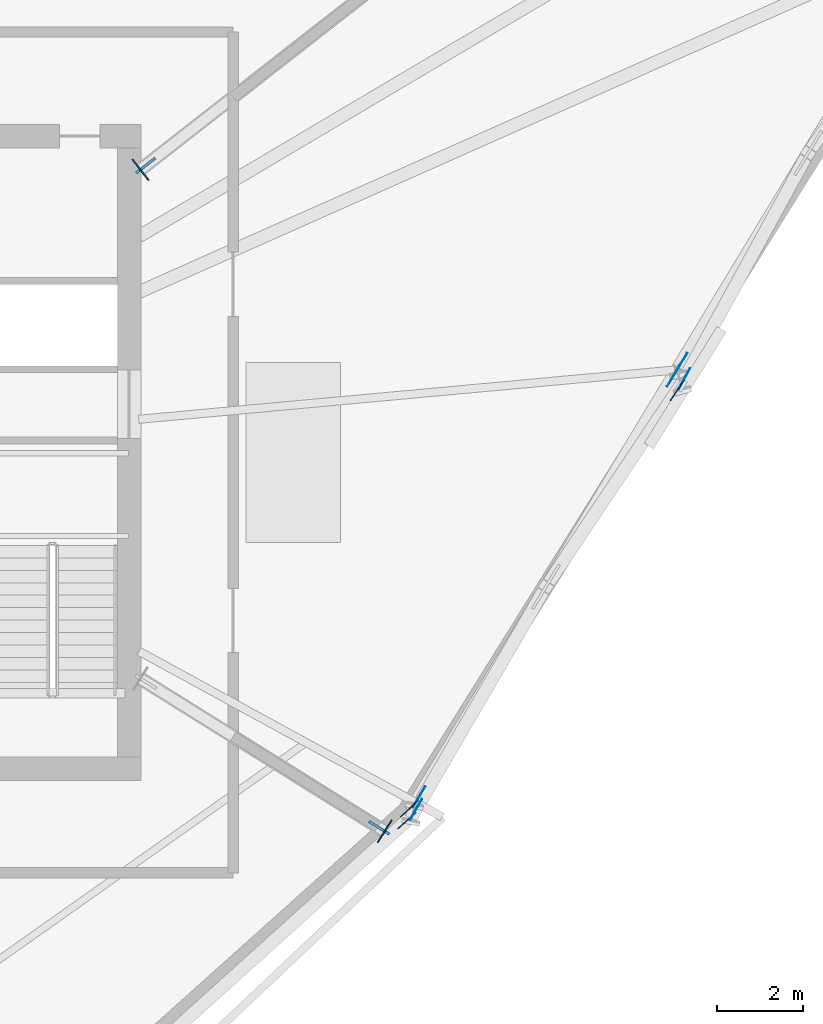
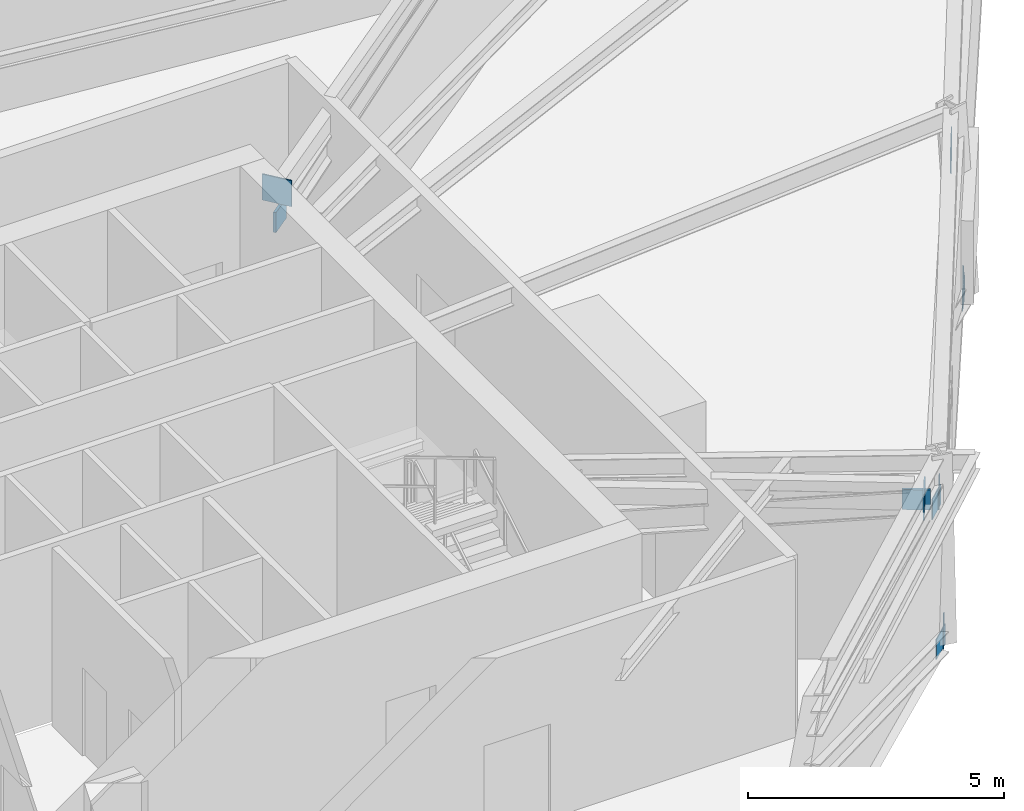
# One storey, part 6 of 14: 12 plates.
"""IFC4 building model written with IfcOpenShell, lengths in metres."""

import ifcopenshell
import ifcopenshell.guid

model = None  # the IFC model being written
_history = None  # IfcOwnerHistory: only IFC2X3 demands one
_inside = {}  # id of a spatial element -> (the spatial element, [elements in it])
_under = {}  # id of a project, library or spatial element -> (it, [spatial elements below it])
_declared = {}  # id of a project -> (the project, [libraries it declares])
_typed = {}  # id of a type object -> (the type object, [elements of that type])
_made_of = {}  # id of a material, layer set ... -> (it, [elements and type objects made of it])


def new_model(schema):
    """Start an empty IFC model of exactly this schema.

    Asked for "IFC4X3", IfcOpenShell would pick the latest addendum, in which some entities
    have other attributes; the version numbers below select the first issue.
    IFC2X3 requires an IfcOwnerHistory on every rooted entity: one is made here for all.
    """
    global model, _history
    if schema == "IFC4X3":
        model = ifcopenshell.file(schema_version=(4, 3, 0, 0))
    else:
        model = ifcopenshell.file(schema=schema)
    _inside.clear()
    _under.clear()
    _declared.clear()
    _typed.clear()
    _made_of.clear()
    _history = None
    if model.schema == "IFC2X3":
        org = make("IfcOrganization", Name="unknown")
        user = make(
            "IfcPersonAndOrganization",
            ThePerson=make("IfcPerson", FamilyName="unknown"),
            TheOrganization=org,
        )
        app = make(
            "IfcApplication",
            ApplicationDeveloper=org,
            Version="unknown",
            ApplicationFullName="unknown",
            ApplicationIdentifier="unknown",
        )
        _history = make(
            "IfcOwnerHistory",
            OwningUser=user,
            OwningApplication=app,
            ChangeAction="ADDED",
            CreationDate=0,
        )
    return model


def make(cls, **values):
    """One entity of the class cls with the attributes given. An attribute that is None is left unset."""
    return model.create_entity(
        cls, **{name: value for name, value in values.items() if value is not None}
    )


def rooted(cls, **values):
    """An entity with a GlobalId (a new one), such as an element, a storey or a relation."""
    return make(cls, GlobalId=ifcopenshell.guid.new(), OwnerHistory=_history, **values)


def si_unit(unit_type, name, prefix=None):
    """IfcSIUnit, for example si_unit("LENGTHUNIT", "METRE", prefix="MILLI")."""
    return make("IfcSIUnit", UnitType=unit_type, Prefix=prefix, Name=name)


def assignment(units):
    """IfcUnitAssignment: the units of a project."""
    return None if units is None else make("IfcUnitAssignment", Units=units)


def point(xyz):
    """IfcCartesianPoint."""
    return None if xyz is None else make("IfcCartesianPoint", Coordinates=xyz)


def direction(xyz):
    """IfcDirection."""
    return None if xyz is None else make("IfcDirection", DirectionRatios=xyz)


def frame(location, z_axis=None, x_axis=None):
    """IfcAxis2Placement3D, a coordinate frame: its origin and axes. An axis left out is left unset."""
    return make(
        "IfcAxis2Placement3D",
        Location=point(location),
        Axis=direction(z_axis),
        RefDirection=direction(x_axis),
    )


def frame_2d(location, x_axis=None):
    """IfcAxis2Placement2D, a coordinate frame in the plane: its origin and x axis."""
    return make(
        "IfcAxis2Placement2D", Location=point(location), RefDirection=direction(x_axis)
    )


def origin():
    """The frame at (0, 0, 0) with its axes left unset."""
    return frame((0.0, 0.0, 0.0))


def origin_2d():
    """The frame at (0, 0) in the plane with its x axis left unset."""
    return frame_2d((0.0, 0.0))


def place(relative_to, where):
    """IfcLocalPlacement: puts the frame where relative to a parent placement (None: the world)."""
    return make(
        "IfcLocalPlacement", PlacementRelTo=relative_to, RelativePlacement=where
    )


def context(
    kind, dimensions, precision=None, world=None, true_north=None, identifier=None
):
    """IfcGeometricRepresentationContext, for example the 3D "Model" context."""
    return make(
        "IfcGeometricRepresentationContext",
        ContextIdentifier=identifier,
        ContextType=kind,
        CoordinateSpaceDimension=dimensions,
        Precision=precision,
        WorldCoordinateSystem=world,
        TrueNorth=true_north,
    )


def subcontext(parent, identifier, kind, view, scale=None):
    """IfcGeometricRepresentationSubContext, for example "Body" below "Model"."""
    return make(
        "IfcGeometricRepresentationSubContext",
        ContextIdentifier=identifier,
        ContextType=kind,
        ParentContext=parent,
        TargetScale=scale,
        TargetView=view,
    )


def project(units=None, contexts=None):
    """IfcProject with its units and contexts."""
    return rooted(
        "IfcProject",
        Name="project",
        RepresentationContexts=contexts,
        UnitsInContext=assignment(units),
    )


def spatial(cls, under=None, at=None, **own):
    """A site, building, storey or space (cls), placed at a placement, below another one or the project."""
    s = rooted(cls, ObjectPlacement=at, **own)
    if under is not None:
        _under.setdefault(under.id(), (under, []))[1].append(s)
    return s


def profile(cls, at=None, kind="AREA", **sizes):
    """A parametric profile (cls). Its sizes go by their IFC names, for example OverallWidth=200.0."""
    return make(cls, ProfileType=kind, Position=at, **sizes)


def rectangle(**sizes):
    """IfcRectangleProfileDef."""
    return profile("IfcRectangleProfileDef", **sizes)


def extrude(swept, where, along, depth):
    """IfcExtrudedAreaSolid: the profile swept, set in the frame where, extruded along a direction by depth."""
    return make(
        "IfcExtrudedAreaSolid",
        SweptArea=swept,
        Position=where,
        ExtrudedDirection=direction(along),
        Depth=depth,
    )


def shape(context_of_items, identifier, shape_type, items):
    """IfcShapeRepresentation: the items that make up one representation, for example the "Body"."""
    return make(
        "IfcShapeRepresentation",
        ContextOfItems=context_of_items,
        RepresentationIdentifier=identifier,
        RepresentationType=shape_type,
        Items=items,
    )


def source(mapping_origin, context_of_items, identifier, shape_type, items):
    """IfcRepresentationMap: a shape defined once, which mapped items show again and again."""
    return make(
        "IfcRepresentationMap",
        MappingOrigin=mapping_origin,
        MappedRepresentation=shape(context_of_items, identifier, shape_type, items),
    )


def transform(
    local_origin,
    x_axis=None,
    y_axis=None,
    z_axis=None,
    scale=None,
    scale2=None,
    scale3=None,
    uniform=True,
):
    """IfcCartesianTransformationOperator3D, or its non-uniform kind. x_axis, y_axis, z_axis: its Axis1, 2, 3."""
    if uniform:
        return make(
            "IfcCartesianTransformationOperator3D",
            Axis1=direction(x_axis),
            Axis2=direction(y_axis),
            LocalOrigin=point(local_origin),
            Scale=scale,
            Axis3=direction(z_axis),
        )
    return make(
        "IfcCartesianTransformationOperator3DnonUniform",
        Axis1=direction(x_axis),
        Axis2=direction(y_axis),
        LocalOrigin=point(local_origin),
        Scale=scale,
        Axis3=direction(z_axis),
        Scale2=scale2,
        Scale3=scale3,
    )


def mapped(mapping_source, mapping_target):
    """IfcMappedItem: shows the shape of a source again, moved by a transform."""
    return make(
        "IfcMappedItem", MappingSource=mapping_source, MappingTarget=mapping_target
    )


def material(Name=None, Category=None):
    """IfcMaterial."""
    return make("IfcMaterial", Name=Name, Category=Category)


def made_of(thing, what):
    """Note that an element or type object is made of a material, layer set ...; save() writes the relation."""
    if what is not None:
        _made_of.setdefault(what.id(), (what, []))[1].append(thing)
    return thing


def type_object(cls, material=None, **own):
    """A type object (cls), such as IfcWallType, which elements share."""
    return made_of(rooted(cls, **own), material)


def element(
    cls,
    number,
    at=None,
    inside=None,
    cuts=None,
    type_object=None,
    material=None,
    context=None,
    identifier="Body",
    shape_type=None,
    held_by="IfcProductDefinitionShape",
    body=None,
    shapes=None,
    **own,
):
    """One element of the class cls, such as IfcWall. Its Tag is "e" and its number.

    at: its placement. inside: the storey or other place that contains it. cuts: it is an
    opening in that element (IfcRelVoidsElement). A single representation is given by context,
    identifier, shape_type and body (its items); several are given by shapes. held_by: the class
    of the entity that holds the representations. save() writes the other relations.
    """
    e = rooted(cls, Tag="e%d" % number, ObjectPlacement=at, **own)
    if body is not None:
        shapes = [shape(context, identifier, shape_type, body)]
    if shapes is not None:
        e.Representation = make(held_by, Representations=shapes)
    if inside is not None:
        _inside.setdefault(inside.id(), (inside, []))[1].append(e)
    if cuts is not None:
        rooted(
            "IfcRelVoidsElement", RelatingBuildingElement=cuts, RelatedOpeningElement=e
        )
    if type_object is not None:
        _typed.setdefault(type_object.id(), (type_object, []))[1].append(e)
    return made_of(e, material)


def aggregate(whole, parts):
    """IfcRelAggregates: a whole, such as a stair, and the parts it consists of."""
    return rooted("IfcRelAggregates", RelatingObject=whole, RelatedObjects=parts)


def save(model, path):
    """Write the relations noted so far, then the file.

    IfcRelAggregates (storeys below a building ...), IfcRelContainedInSpatialStructure (elements
    in a storey), IfcRelDefinesByType, IfcRelAssociatesMaterial and IfcRelDeclares: one each for
    every whole, place, type object, material and project.
    """
    for whole, parts in _under.values():
        aggregate(whole, parts)
    for where, things in _inside.values():
        rooted(
            "IfcRelContainedInSpatialStructure",
            RelatedElements=things,
            RelatingStructure=where,
        )
    for kind, things in _typed.values():
        rooted("IfcRelDefinesByType", RelatedObjects=things, RelatingType=kind)
    for what, things in _made_of.values():
        rooted("IfcRelAssociatesMaterial", RelatedObjects=things, RelatingMaterial=what)
    for by, libraries in _declared.values():
        rooted("IfcRelDeclares", RelatingContext=by, RelatedDefinitions=libraries)
    model.write(path)


model = new_model("IFC4")

# Units and contexts
model_context = context("Model", 3, precision=1e-05, world=origin(), true_north=direction((0.0, 1.0)))
body_context = subcontext(model_context, "Body", "Model", "MODEL_VIEW")
ifc_project = project(units=[si_unit("LENGTHUNIT", "METRE"), si_unit("AREAUNIT", "SQUARE_METRE"), si_unit("VOLUMEUNIT", "CUBIC_METRE"), si_unit("PLANEANGLEUNIT", "RADIAN"), si_unit("MASSUNIT", "GRAM", prefix="KILO")], contexts=[model_context])

# Site, building, storey
site_placement = place(None, origin())
site = spatial("IfcSite", under=ifc_project, at=site_placement, CompositionType="ELEMENT")
building_placement = place(site_placement, origin())
building = spatial("IfcBuilding", under=site, at=building_placement, Name="Olszyna Solenne Hotel", CompositionType="ELEMENT")
storey_placement = place(building_placement, frame((0.0, 0.0, 142.10009765625)))
storey = spatial("IfcBuildingStorey", under=building, at=storey_placement, Name="L37", CompositionType="ELEMENT", Elevation=142.10009765625)

# Plates
ifc_material_1 = material(Name="Steel S460M", Category="steel")
plate_type_1 = type_object("IfcPlateType", Name="GP-CAP2", PredefinedType="USERDEFINED", material=ifc_material_1)
shared_shape_1 = source(origin(), body_context, "Body", "SweptSolid", [
    extrude(rectangle(XDim=0.030029296875, YDim=0.6201171875, at=origin_2d()), origin(), (0.0, 0.0, 1.0), 0.6201171875),
])
for number, where, z_axis, x_axis, name in (
    (1, (52.13427734375, 17.767822265625, 3.48974609375), (0.0, 0.0, 1.0), (0.848048096156, -0.529919264233, 0.0), "Hollow section end-cap plate GP-CAP2 CP-OC-OC-L37-01-2"),
    (2, (46.438232421875, 33.192626953125, 3.48974609375), (0.0, 0.0, 1.0), (0.788010753607, 0.615661475326, 0.0), "Hollow section end-cap plate GP-CAP2 CP-OC-OC-L37-02-1"),
):
    element("IfcPlate", number, at=place(storey_placement, frame(where, z_axis=z_axis, x_axis=x_axis)), inside=storey, type_object=plate_type_1, Name=name, ObjectType="GUSSET_PLATE", PredefinedType="USERDEFINED", context=body_context, shape_type="MappedRepresentation", body=[
        mapped(shared_shape_1, transform((0.0, 0.0, 0.0), x_axis=(1.0, 0.0, 0.0), y_axis=(0.0, 1.0, 0.0), z_axis=(0.0, 0.0, 1.0), scale=1.0)),
    ])
ifc_material_2 = material(Name="Steel S355J2", Category="steel")
plate_type_2 = type_object("IfcPlateType", Name="GP-ND2", PredefinedType="USERDEFINED", material=ifc_material_2)
shared_shape_2 = source(origin(), body_context, "Body", "SweptSolid", [
    extrude(rectangle(XDim=0.56005859375, YDim=0.02001953125, at=origin_2d()), origin(), (0.0, 0.0, 1.0), 0.47998046875),
])
for number, where, z_axis, x_axis, name in (
    (3, (52.706787109375, 18.292236328125, 2.9599609375), (0.0, 0.0, 1.0), (0.733136660803, 0.680081345566, 0.0), "Brace end connection gusset plate GP-ND2 EP-CH-L37-10-2"),
    (4, (52.648681640625, 18.0166015625, -0.182861328125), (0.0, 0.0, 1.0), (-0.742677503127, -0.669649256215, 0.0), "Brace end connection gusset plate GP-ND2 EP-BT-L37-10-2-1"),
    (5, (52.931640625, 18.568603515625, 2.9599609375), (0.0, 0.0, 1.0), (0.517280366086, 0.855815998251, 0.0), "Brace end connection gusset plate GP-ND2 EP-CH-L37-11-1"),
    (6, (58.85791015625, 28.37158203125, 2.9599609375), (0.0, 0.0, 1.0), (0.517280366086, 0.855815998251, 0.0), "Brace end connection gusset plate GP-ND2 EP-CH-L37-11-2"),
    (7, (52.862548828125, 18.275146484375, -0.15576171875), (0.0, 0.0, 1.0), (0.504075481823, 0.863659602288, 0.0), "Brace end connection gusset plate GP-ND2 EP-BT-L37-11-1-1"),
    (8, (58.948974609375, 28.0380859375, -0.151123046875), (0.0, 0.0, 1.0), (-0.555860436814, -0.831275631055, 0.0), "Brace end connection gusset plate GP-ND2 EP-BT-L37-11-2-1"),
    (9, (59.044189453125, 28.6796875, 2.9599609375), (0.0, 0.0, 1.0), (0.517280366086, 0.855815998251, 0.0), "Brace end connection gusset plate GP-ND2 EP-CH-L37-12-1"),
    (10, (59.118896484375, 28.316162109375, -0.155517578125), (0.0, 0.0, 1.0), (0.480988768919, 0.876726755708, 0.0), "Brace end connection gusset plate GP-ND2 EP-BT-L37-12-1-1"),
):
    element("IfcPlate", number, at=place(storey_placement, frame(where, z_axis=z_axis, x_axis=x_axis)), inside=storey, type_object=plate_type_2, Name=name, ObjectType="GUSSET_PLATE", PredefinedType="USERDEFINED", context=body_context, shape_type="MappedRepresentation", body=[
        mapped(shared_shape_2, transform((0.0, 0.0, 0.0), x_axis=(1.0, 0.0, 0.0), y_axis=(0.0, 1.0, 0.0), z_axis=(0.0, 0.0, 1.0), scale=1.0)),
    ])
plate_type_3 = type_object("IfcPlateType", Name="GP-ND1", PredefinedType="USERDEFINED", material=ifc_material_1)
shared_shape_3 = source(origin(), body_context, "Body", "SweptSolid", [
    extrude(rectangle(XDim=0.56005859375, YDim=0.06005859375, at=origin_2d()), origin(), (0.0, 0.0, 1.0), 0.47998046875),
])
for number, where, z_axis, x_axis, name in (
    (11, (52.00341796875, 17.849609375, 3.54541015625), (0.0, 0.0, 1.0), (0.848048096156, -0.529919264233, 0.0), "Brace end connection gusset plate GP-ND1 EP-OU-L37-01-2"),
    (12, (46.560302734375, 33.2880859375, 2.866455078125), (0.0, 0.0, 1.0), (0.788010753607, 0.615661475326, 0.0), "Brace end connection gusset plate GP-ND1 EP-OU-L37-02-1"),
):
    element("IfcPlate", number, at=place(storey_placement, frame(where, z_axis=z_axis, x_axis=x_axis)), inside=storey, type_object=plate_type_3, Name=name, ObjectType="GUSSET_PLATE", PredefinedType="USERDEFINED", context=body_context, shape_type="MappedRepresentation", body=[
        mapped(shared_shape_3, transform((0.0, 0.0, 0.0), x_axis=(1.0, 0.0, 0.0), y_axis=(0.0, 1.0, 0.0), z_axis=(0.0, 0.0, 1.0), scale=1.0)),
    ])

save(model, "model.ifc")
